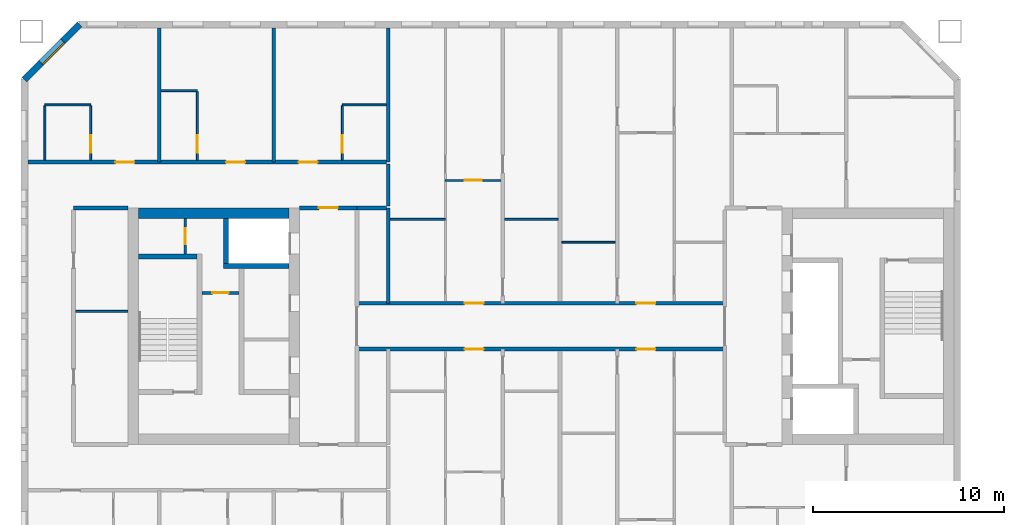
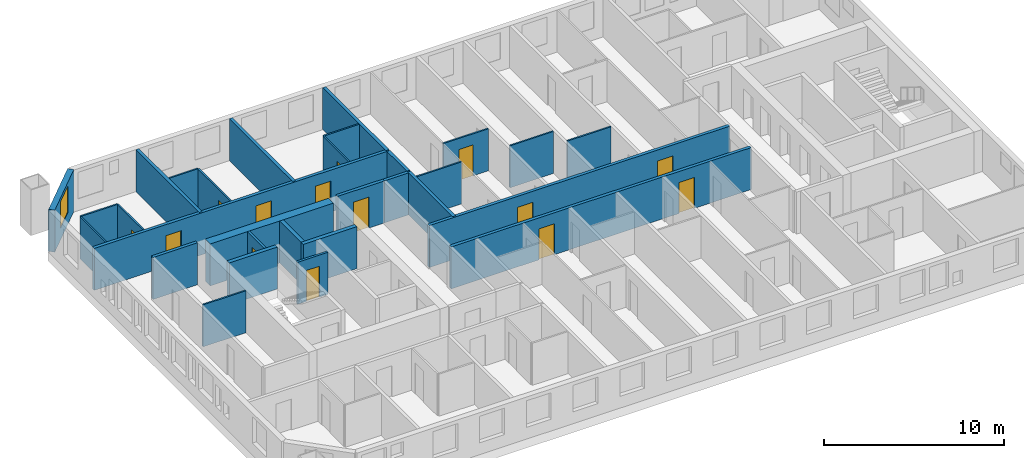
# One storey, part 5 of 17: 30 walls, 14 doors, 1 window, 15 openings.
"""IFC4 building model written with IfcOpenShell, lengths in metres."""

from ifc_helpers import new_model, si_unit, direction, frame, frame_2d, origin, place, context, subcontext, project, spatial, rectangle, extrude, material, layer, layer_set, type_object, element, fill, save


model = new_model("IFC4")

# Units and contexts
model_context = context("Model", 3, precision=1e-05, world=origin(), true_north=direction((0.0, 1.0)))
body_context = subcontext(model_context, "Body", "Model", "MODEL_VIEW")
ifc_project = project(units=[si_unit("LENGTHUNIT", "METRE"), si_unit("AREAUNIT", "SQUARE_METRE"), si_unit("VOLUMEUNIT", "CUBIC_METRE"), si_unit("PLANEANGLEUNIT", "RADIAN"), si_unit("MASSUNIT", "GRAM", prefix="KILO")], contexts=[model_context])

# Site, building, storey
site_placement = place(None, origin())
site = spatial("IfcSite", under=ifc_project, at=site_placement, CompositionType="ELEMENT")
building_placement = place(site_placement, origin())
building = spatial("IfcBuilding", under=site, at=building_placement, Name="Tuart Gate Housing", CompositionType="ELEMENT")
storey_placement = place(building_placement, frame((0.0, 0.0, 123.699951171875)))
storey = spatial("IfcBuildingStorey", under=building, at=storey_placement, Name="L34", CompositionType="ELEMENT", Elevation=123.699951171875)

# Wall, opening, window
ifc_material_1 = material(Name="Brick", Category="masonry")
ifc_layer_1 = layer(ifc_material_1, 0.360107421875)
ifc_layer_set_1 = layer_set([ifc_layer_1], Name="Brick pier and spandrel wall 360")
wall_type_1 = type_object("IfcWallType", Name="Brick pier and spandrel wall 360", PredefinedType="STANDARD", material=ifc_layer_set_1)
wall_1_placement = place(storey_placement, frame((29.82470703125, 85.820068359375, 0.0), z_axis=(0.0, 0.0, 1.0), x_axis=(-0.707106781187, -0.707106781187, 0.0)))
wall_1 = element("IfcWall", 1, at=wall_1_placement, inside=storey, type_object=wall_type_1, Name="External wall A-NW L34", PredefinedType="STANDARD", context=body_context, shape_type="SweptSolid", body=[
    extrude(rectangle(XDim=4.09375, YDim=0.360107421875, at=frame_2d((2.046875, 0.0))), origin(), (0.0, 0.0, 1.0), 2.85009765625),
])
opening_1_placement = place(wall_1_placement, frame((1.2470703125, 0.0, 0.800048828125)))
opening_1 = element("IfcOpeningElement", 2, at=opening_1_placement, cuts=wall_1, Name="Opening W1", PredefinedType="OPENING", context=body_context, shape_type="SweptSolid", body=[
    extrude(rectangle(XDim=1.60009765625, YDim=1.800048828125, at=frame_2d((0.800048828125, 0.89990234375))), frame((0.0, 0.18994140625, 0.0), z_axis=(0.0, -1.0, 0.0), x_axis=(1.0, 0.0, 0.0)), (0.0, 0.0, 1.0), 0.380126953125),
])
ifc_material_2 = material(Name="Aluminium frame with clear glass", Category="aluminium")
window_type = type_object("IfcWindowType", Name="Punched window 1600 x 1800", PartitioningType="SINGLE_PANEL", PredefinedType="WINDOW", material=ifc_material_2)
window_placement = place(opening_1_placement, origin())
window = element("IfcWindow", 3, at=window_placement, inside=storey, type_object=window_type, Name="Window W1", OverallHeight=1.800048828125, OverallWidth=1.60009765625, PartitioningType="SINGLE_PANEL", PredefinedType="WINDOW", context=body_context, shape_type="SweptSolid", body=[
    extrude(rectangle(XDim=1.60009765625, YDim=1.800048828125, at=frame_2d((0.800048828125, 0.89990234375))), frame((0.0, 0.150146484375, 0.0), z_axis=(0.0, -1.0, 0.0), x_axis=(1.0, 0.0, 0.0)), (0.0, 0.0, 1.0), 0.06005859375),
])
fill(opening_1, window)

# Wall, opening, door
ifc_material_3 = material(Name="Plasterboard partition")
ifc_layer_2 = layer(ifc_material_3, 0.14990234375)
ifc_layer_set_2 = layer_set([ifc_layer_2], Name="Core partition 150")
wall_type_2 = type_object("IfcWallType", Name="Core partition 150", PredefinedType="PARTITIONING", material=ifc_layer_set_2)
wall_2_placement = place(storey_placement, frame((38.18505859375, 71.75, 0.0), z_axis=(0.0, 0.0, 1.0), x_axis=(-1.0, 0.0, 0.0)))
wall_2 = element("IfcWall", 4, at=wall_2_placement, inside=storey, type_object=wall_type_2, Name="Core partition AK.3", PredefinedType="PARTITIONING", context=body_context, shape_type="SweptSolid", body=[
    extrude(rectangle(XDim=1.949951171875, YDim=0.14990234375, at=frame_2d((0.97509765625, 0.0))), origin(), (0.0, 0.0, 1.0), 2.85009765625),
])
opening_2_placement = place(wall_2_placement, frame((0.550048828125, 0.0, 0.0)))
opening_2 = element("IfcOpeningElement", 5, at=opening_2_placement, cuts=wall_2, Name="Opening D1314", PredefinedType="OPENING", context=body_context, shape_type="SweptSolid", body=[
    extrude(rectangle(XDim=0.85009765625, YDim=2.10009765625, at=frame_2d((0.425048828125, 1.050048828125))), frame((0.0, 0.0849609375, 0.0), z_axis=(0.0, -1.0, 0.0), x_axis=(1.0, 0.0, 0.0)), (0.0, 0.0, 1.0), 0.169921875),
])
ifc_material_4 = material(Name="Steel fire door", Category="steel")
door_type_1 = type_object("IfcDoorType", Name="Riser door 850 x 2100 RH", OperationType="SINGLE_SWING_RIGHT", PredefinedType="DOOR", material=ifc_material_4)
door_1_placement = place(opening_2_placement, frame((0.85009765625, 0.0, 0.0), z_axis=(0.0, 0.0, 1.0), x_axis=(-1.0, 0.0, 0.0)))
door_1 = element("IfcDoor", 6, at=door_1_placement, inside=storey, type_object=door_type_1, Name="Service room door AK.E1", OperationType="SINGLE_SWING_RIGHT", OverallHeight=2.10009765625, OverallWidth=0.85009765625, PredefinedType="DOOR", context=body_context, shape_type="SweptSolid", body=[
    extrude(rectangle(XDim=0.85009765625, YDim=2.10009765625, at=frame_2d((0.425048828125, 1.050048828125))), frame((0.0, 0.025146484375, 0.0), z_axis=(0.0, -1.0, 0.0), x_axis=(1.0, 0.0, 0.0)), (0.0, 0.0, 1.0), 0.050048828125),
])
fill(opening_2, door_1)

wall_3_placement = place(storey_placement, frame((35.360107421875, 75.64990234375, 0.0), z_axis=(0.0, 0.0, 1.0), x_axis=(0.0, -1.0, 0.0)))
wall_3 = element("IfcWall", 7, at=wall_3_placement, inside=storey, type_object=wall_type_2, Name="Core partition AK.10", PredefinedType="PARTITIONING", context=body_context, shape_type="SweptSolid", body=[
    extrude(rectangle(XDim=1.875, YDim=0.14990234375, at=frame_2d((0.9375, 0.0))), origin(), (0.0, 0.0, 1.0), 2.85009765625),
])
opening_3_placement = place(wall_3_placement, frame((0.512451171875, 0.0, 0.0)))
opening_3 = element("IfcOpeningElement", 8, at=opening_3_placement, cuts=wall_3, Name="Opening D1312", PredefinedType="OPENING", context=body_context, shape_type="SweptSolid", body=[
    extrude(rectangle(XDim=0.85009765625, YDim=2.10009765625, at=frame_2d((0.425048828125, 1.050048828125))), frame((0.0, 0.0849609375, 0.0), z_axis=(0.0, -1.0, 0.0), x_axis=(1.0, 0.0, 0.0)), (0.0, 0.0, 1.0), 0.169921875),
])
ifc_material_5 = material(Name="Steel fire door", Category="steel")
door_type_2 = type_object("IfcDoorType", Name="Service door 850 x 2100", OperationType="SINGLE_SWING_LEFT", PredefinedType="DOOR", material=ifc_material_5)
door_2_placement = place(opening_3_placement, origin())
door_2 = element("IfcDoor", 9, at=door_2_placement, inside=storey, type_object=door_type_2, Name="Service room door AK.E2", OperationType="SINGLE_SWING_LEFT", OverallHeight=2.10009765625, OverallWidth=0.85009765625, PredefinedType="DOOR", context=body_context, shape_type="SweptSolid", body=[
    extrude(rectangle(XDim=0.85009765625, YDim=2.10009765625, at=frame_2d((0.425048828125, 1.050048828125))), frame((0.0, 0.02490234375, 0.0), z_axis=(0.0, -1.0, 0.0), x_axis=(1.0, 0.0, 0.0)), (0.0, 0.0, 1.0), 0.050048828125),
])
fill(opening_3, door_2)

# Walls
ifc_material_6 = material(Name="Concrete C50", Category="concrete")
ifc_layer_3 = layer(ifc_material_6, 0.25)
ifc_layer_set_3 = layer_set([ifc_layer_3], Name="Core wall 250 C50")
wall_type_3 = type_object("IfcWallType", Name="Core wall 250 C50", PredefinedType="SHEAR", material=ifc_layer_set_3)
wall_4_placement = place(storey_placement, frame((35.985107421875, 73.64990234375, 0.0), z_axis=(0.0, 0.0, 1.0), x_axis=(-1.0, 0.0, 0.0)))
element("IfcWall", 10, at=wall_4_placement, inside=storey, type_object=wall_type_3, Name="Core wall AK.1", PredefinedType="SHEAR", context=body_context, shape_type="SweptSolid", body=[
    extrude(rectangle(XDim=3.0751953125, YDim=0.25, at=frame_2d((1.53759765625, 0.0))), origin(), (0.0, 0.0, 1.0), 2.85009765625),
])
wall_5_placement = place(storey_placement, frame((40.81005859375, 73.14990234375, 0.0), z_axis=(0.0, 0.0, 1.0), x_axis=(-1.0, 0.0, 0.0)))
element("IfcWall", 11, at=wall_5_placement, inside=storey, type_object=wall_type_3, Name="Core wall AK.2", PredefinedType="SHEAR", context=body_context, shape_type="SweptSolid", body=[
    extrude(rectangle(XDim=3.445068359375, YDim=0.25, at=frame_2d((1.72265625, 0.0))), origin(), (0.0, 0.0, 1.0), 2.85009765625),
])
wall_6_placement = place(storey_placement, frame((37.489990234375, 75.64990234375, 0.0), z_axis=(0.0, 0.0, 1.0), x_axis=(0.0, -1.0, 0.0)))
element("IfcWall", 12, at=wall_6_placement, inside=storey, type_object=wall_type_3, Name="Core wall AK.8", PredefinedType="SHEAR", context=body_context, shape_type="SweptSolid", body=[
    extrude(rectangle(XDim=2.375, YDim=0.25, at=frame_2d((1.1875, 0.0))), origin(), (0.0, 0.0, 1.0), 2.85009765625),
])
ifc_material_7 = material(Name="Concrete C50", Category="concrete")
ifc_layer_4 = layer(ifc_material_7, 0.550048828125)
ifc_layer_set_4 = layer_set([ifc_layer_4], Name="Core wall 550 C50")
wall_type_4 = type_object("IfcWallType", Name="Core wall 550 C50", PredefinedType="SHEAR", material=ifc_layer_set_4)
wall_7_placement = place(storey_placement, frame((40.81005859375, 75.925048828125, 0.0), z_axis=(0.0, 0.0, 1.0), x_axis=(-1.0, 0.0, 0.0)))
element("IfcWall", 13, at=wall_7_placement, inside=storey, type_object=wall_type_4, Name="Core wall AK south", PredefinedType="SHEAR", context=body_context, shape_type="SweptSolid", body=[
    extrude(rectangle(XDim=7.900146484375, YDim=0.550048828125, at=frame_2d((3.9501953125, 0.0))), origin(), (0.0, 0.0, 1.0), 2.85009765625),
])

# Wall, openings, doors
ifc_material_8 = material(Name="Concrete masonry 15 MPa", Category="masonry")
ifc_layer_5 = layer(ifc_material_8, 0.199951171875)
ifc_layer_set_5 = layer_set([ifc_layer_5], Name="Corridor wall masonry 200")
wall_type_5 = type_object("IfcWallType", Name="Corridor wall masonry 200", PredefinedType="PARTITIONING", material=ifc_layer_set_5)
wall_8_placement = place(storey_placement, frame((44.360107421875, 68.800048828125, 0.0), z_axis=(0.0, 0.0, 1.0), x_axis=(1.0, 0.0, 0.0)))
wall_8 = element("IfcWall", 14, at=wall_8_placement, inside=storey, type_object=wall_type_5, Name="Corridor wall masonry 200", PredefinedType="PARTITIONING", context=body_context, shape_type="SweptSolid", body=[
    extrude(rectangle(XDim=19.27978515625, YDim=0.199951171875, at=frame_2d((9.639892578125, 0.0))), origin(), (0.0, 0.0, 1.0), 2.85009765625),
])
opening_4_placement = place(wall_8_placement, frame((14.639892578125, 0.0, 0.0)))
opening_4 = element("IfcOpeningElement", 15, at=opening_4_placement, cuts=wall_8, Name="Opening D1325", PredefinedType="OPENING", context=body_context, shape_type="SweptSolid", body=[
    extrude(rectangle(XDim=1.0, YDim=2.10009765625, at=frame_2d((0.5, 1.050048828125))), frame((0.0, 0.10986328125, 0.0), z_axis=(0.0, -1.0, 0.0), x_axis=(1.0, 0.0, 0.0)), (0.0, 0.0, 1.0), 0.219970703125),
])
opening_5_placement = place(wall_8_placement, frame((5.639892578125, 0.0, 0.0)))
opening_5 = element("IfcOpeningElement", 16, at=opening_5_placement, cuts=wall_8, Name="Opening D1326", PredefinedType="OPENING", context=body_context, shape_type="SweptSolid", body=[
    extrude(rectangle(XDim=1.0, YDim=2.10009765625, at=frame_2d((0.5, 1.050048828125))), frame((0.0, 0.10986328125, 0.0), z_axis=(0.0, -1.0, 0.0), x_axis=(1.0, 0.0, 0.0)), (0.0, 0.0, 1.0), 0.219970703125),
])
ifc_material_9 = material(Name="Timber door leaf in steel frame", Category="steel")
door_type_3 = type_object("IfcDoorType", Name="Flat entrance door 1000 RH", OperationType="SINGLE_SWING_RIGHT", PredefinedType="DOOR", material=ifc_material_9)
door_3_placement = place(opening_4_placement, frame((1.0, 0.0, 0.0), z_axis=(0.0, 0.0, 1.0), x_axis=(-1.0, 0.0, 0.0)))
door_3 = element("IfcDoor", 17, at=door_3_placement, inside=storey, type_object=door_type_3, Name="Flat entrance door", OperationType="SINGLE_SWING_RIGHT", OverallHeight=2.10009765625, OverallWidth=1.0, PredefinedType="DOOR", context=body_context, shape_type="SweptSolid", body=[
    extrude(rectangle(XDim=1.0, YDim=2.10009765625, at=frame_2d((0.5, 1.050048828125))), frame((0.0, 0.025146484375, 0.0), z_axis=(0.0, -1.0, 0.0), x_axis=(1.0, 0.0, 0.0)), (0.0, 0.0, 1.0), 0.050048828125),
])
fill(opening_4, door_3)
door_4_placement = place(opening_5_placement, frame((1.0, 0.0, 0.0), z_axis=(0.0, 0.0, 1.0), x_axis=(-1.0, 0.0, 0.0)))
door_4 = element("IfcDoor", 18, at=door_4_placement, inside=storey, type_object=door_type_3, Name="Flat entrance door", OperationType="SINGLE_SWING_RIGHT", OverallHeight=2.10009765625, OverallWidth=1.0, PredefinedType="DOOR", context=body_context, shape_type="SweptSolid", body=[
    extrude(rectangle(XDim=1.0, YDim=2.10009765625, at=frame_2d((0.5, 1.050048828125))), frame((0.0, 0.025146484375, 0.0), z_axis=(0.0, -1.0, 0.0), x_axis=(1.0, 0.0, 0.0)), (0.0, 0.0, 1.0), 0.050048828125),
])
fill(opening_5, door_4)

wall_9_placement = place(storey_placement, frame((44.360107421875, 71.199951171875, 0.0), z_axis=(0.0, 0.0, 1.0), x_axis=(1.0, 0.0, 0.0)))
wall_9 = element("IfcWall", 19, at=wall_9_placement, inside=storey, type_object=wall_type_5, Name="Corridor wall masonry 200", PredefinedType="PARTITIONING", context=body_context, shape_type="SweptSolid", body=[
    extrude(rectangle(XDim=19.27978515625, YDim=0.199951171875, at=frame_2d((9.639892578125, 0.0))), origin(), (0.0, 0.0, 1.0), 2.85009765625),
])
opening_6_placement = place(wall_9_placement, frame((14.639892578125, 0.0, 0.0)))
opening_6 = element("IfcOpeningElement", 20, at=opening_6_placement, cuts=wall_9, Name="Opening D1315", PredefinedType="OPENING", context=body_context, shape_type="SweptSolid", body=[
    extrude(rectangle(XDim=1.0, YDim=2.10009765625, at=frame_2d((0.5, 1.050048828125))), frame((0.0, 0.10986328125, 0.0), z_axis=(0.0, -1.0, 0.0), x_axis=(1.0, 0.0, 0.0)), (0.0, 0.0, 1.0), 0.219970703125),
])
opening_7_placement = place(wall_9_placement, frame((5.639892578125, 0.0, 0.0)))
opening_7 = element("IfcOpeningElement", 21, at=opening_7_placement, cuts=wall_9, Name="Opening D1316", PredefinedType="OPENING", context=body_context, shape_type="SweptSolid", body=[
    extrude(rectangle(XDim=1.0, YDim=2.10009765625, at=frame_2d((0.5, 1.050048828125))), frame((0.0, 0.10986328125, 0.0), z_axis=(0.0, -1.0, 0.0), x_axis=(1.0, 0.0, 0.0)), (0.0, 0.0, 1.0), 0.219970703125),
])
ifc_material_10 = material(Name="Timber door leaf in steel frame", Category="steel")
door_type_4 = type_object("IfcDoorType", Name="Flat entrance door 1000", OperationType="SINGLE_SWING_LEFT", PredefinedType="DOOR", material=ifc_material_10)
door_5_placement = place(opening_6_placement, origin())
door_5 = element("IfcDoor", 22, at=door_5_placement, inside=storey, type_object=door_type_4, Name="Flat entrance door", OperationType="SINGLE_SWING_LEFT", OverallHeight=2.10009765625, OverallWidth=1.0, PredefinedType="DOOR", context=body_context, shape_type="SweptSolid", body=[
    extrude(rectangle(XDim=1.0, YDim=2.10009765625, at=frame_2d((0.5, 1.050048828125))), frame((0.0, 0.02490234375, 0.0), z_axis=(0.0, -1.0, 0.0), x_axis=(1.0, 0.0, 0.0)), (0.0, 0.0, 1.0), 0.050048828125),
])
fill(opening_6, door_5)
door_6_placement = place(opening_7_placement, origin())
door_6 = element("IfcDoor", 23, at=door_6_placement, inside=storey, type_object=door_type_4, Name="Flat entrance door", OperationType="SINGLE_SWING_LEFT", OverallHeight=2.10009765625, OverallWidth=1.0, PredefinedType="DOOR", context=body_context, shape_type="SweptSolid", body=[
    extrude(rectangle(XDim=1.0, YDim=2.10009765625, at=frame_2d((0.5, 1.050048828125))), frame((0.0, 0.02490234375, 0.0), z_axis=(0.0, -1.0, 0.0), x_axis=(1.0, 0.0, 0.0)), (0.0, 0.0, 1.0), 0.050048828125),
])
fill(opening_7, door_6)

# Walls
wall_10_placement = place(storey_placement, frame((29.510009765625, 76.199951171875, 0.0), z_axis=(0.0, 0.0, 1.0), x_axis=(1.0, 0.0, 0.0)))
element("IfcWall", 24, at=wall_10_placement, inside=storey, type_object=wall_type_5, Name="Corridor wall masonry 200", PredefinedType="PARTITIONING", context=body_context, shape_type="SweptSolid", body=[
    extrude(rectangle(XDim=2.85009765625, YDim=0.199951171875, at=frame_2d((1.425048828125, 0.0))), origin(), (0.0, 0.0, 1.0), 2.85009765625),
])
wall_11_placement = place(storey_placement, frame((44.360107421875, 76.199951171875, 0.0), z_axis=(0.0, 0.0, 1.0), x_axis=(1.0, 0.0, 0.0)))
element("IfcWall", 25, at=wall_11_placement, inside=storey, type_object=wall_type_5, Name="Corridor wall masonry 200", PredefinedType="PARTITIONING", context=body_context, shape_type="SweptSolid", body=[
    extrude(rectangle(XDim=1.539794921875, YDim=0.199951171875, at=frame_2d((0.77001953125, 0.0))), origin(), (0.0, 0.0, 1.0), 2.85009765625),
])

# Wall, openings, doors
wall_12_placement = place(storey_placement, frame((27.110107421875, 78.60009765625, 0.0), z_axis=(0.0, 0.0, 1.0), x_axis=(1.0, 0.0, 0.0)))
wall_12 = element("IfcWall", 26, at=wall_12_placement, inside=storey, type_object=wall_type_5, Name="Corridor wall masonry 200", PredefinedType="PARTITIONING", context=body_context, shape_type="SweptSolid", body=[
    extrude(rectangle(XDim=18.789794921875, YDim=0.199951171875, at=frame_2d((9.39501953125, 0.0))), origin(), (0.0, 0.0, 1.0), 2.85009765625),
])
opening_8_placement = place(wall_12_placement, frame((14.18994140625, 0.0, 0.0)))
opening_8 = element("IfcOpeningElement", 27, at=opening_8_placement, cuts=wall_12, Name="Opening D1298", PredefinedType="OPENING", context=body_context, shape_type="SweptSolid", body=[
    extrude(rectangle(XDim=1.0, YDim=2.10009765625, at=frame_2d((0.5, 1.050048828125))), frame((0.0, 0.10986328125, 0.0), z_axis=(0.0, -1.0, 0.0), x_axis=(1.0, 0.0, 0.0)), (0.0, 0.0, 1.0), 0.219970703125),
])
opening_9_placement = place(wall_12_placement, frame((10.389892578125, 0.0, 0.0)))
opening_9 = element("IfcOpeningElement", 28, at=opening_9_placement, cuts=wall_12, Name="Opening D1299", PredefinedType="OPENING", context=body_context, shape_type="SweptSolid", body=[
    extrude(rectangle(XDim=1.0, YDim=2.10009765625, at=frame_2d((0.5, 1.050048828125))), frame((0.0, 0.10986328125, 0.0), z_axis=(0.0, -1.0, 0.0), x_axis=(1.0, 0.0, 0.0)), (0.0, 0.0, 1.0), 0.219970703125),
])
opening_10_placement = place(wall_12_placement, frame((4.590087890625, 0.0, 0.0)))
opening_10 = element("IfcOpeningElement", 29, at=opening_10_placement, cuts=wall_12, Name="Opening D1300", PredefinedType="OPENING", context=body_context, shape_type="SweptSolid", body=[
    extrude(rectangle(XDim=1.0, YDim=2.10009765625, at=frame_2d((0.5, 1.050048828125))), frame((0.0, 0.10986328125, 0.0), z_axis=(0.0, -1.0, 0.0), x_axis=(1.0, 0.0, 0.0)), (0.0, 0.0, 1.0), 0.219970703125),
])
door_7_placement = place(opening_8_placement, origin())
door_7 = element("IfcDoor", 30, at=door_7_placement, inside=storey, type_object=door_type_4, Name="Flat entrance door", OperationType="SINGLE_SWING_LEFT", OverallHeight=2.10009765625, OverallWidth=1.0, PredefinedType="DOOR", context=body_context, shape_type="SweptSolid", body=[
    extrude(rectangle(XDim=1.0, YDim=2.10009765625, at=frame_2d((0.5, 1.050048828125))), frame((0.0, 0.02490234375, 0.0), z_axis=(0.0, -1.0, 0.0), x_axis=(1.0, 0.0, 0.0)), (0.0, 0.0, 1.0), 0.050048828125),
])
fill(opening_8, door_7)
door_8_placement = place(opening_9_placement, origin())
door_8 = element("IfcDoor", 31, at=door_8_placement, inside=storey, type_object=door_type_4, Name="Flat entrance door", OperationType="SINGLE_SWING_LEFT", OverallHeight=2.10009765625, OverallWidth=1.0, PredefinedType="DOOR", context=body_context, shape_type="SweptSolid", body=[
    extrude(rectangle(XDim=1.0, YDim=2.10009765625, at=frame_2d((0.5, 1.050048828125))), frame((0.0, 0.02490234375, 0.0), z_axis=(0.0, -1.0, 0.0), x_axis=(1.0, 0.0, 0.0)), (0.0, 0.0, 1.0), 0.050048828125),
])
fill(opening_9, door_8)
door_9_placement = place(opening_10_placement, origin())
door_9 = element("IfcDoor", 32, at=door_9_placement, inside=storey, type_object=door_type_4, Name="Flat entrance door", OperationType="SINGLE_SWING_LEFT", OverallHeight=2.10009765625, OverallWidth=1.0, PredefinedType="DOOR", context=body_context, shape_type="SweptSolid", body=[
    extrude(rectangle(XDim=1.0, YDim=2.10009765625, at=frame_2d((0.5, 1.050048828125))), frame((0.0, 0.02490234375, 0.0), z_axis=(0.0, -1.0, 0.0), x_axis=(1.0, 0.0, 0.0)), (0.0, 0.0, 1.0), 0.050048828125),
])
fill(opening_10, door_9)

# Wall
wall_13_placement = place(storey_placement, frame((46.0, 76.300048828125, 0.0), z_axis=(0.0, 0.0, 1.0), x_axis=(0.0, 1.0, 0.0)))
element("IfcWall", 33, at=wall_13_placement, inside=storey, type_object=wall_type_5, Name="Corridor wall masonry 200", PredefinedType="PARTITIONING", context=body_context, shape_type="SweptSolid", body=[
    extrude(rectangle(XDim=2.199951171875, YDim=0.199951171875, at=frame_2d((1.10009765625, 0.0))), origin(), (0.0, 0.0, 1.0), 2.85009765625),
])

# Wall, opening, door
ifc_material_11 = material(Name="Concrete masonry 15 MPa", Category="masonry")
ifc_layer_6 = layer(ifc_material_11, 0.199951171875)
ifc_layer_set_6 = layer_set([ifc_layer_6], Name="Enclosure wall masonry 200")
wall_type_6 = type_object("IfcWallType", Name="Enclosure wall masonry 200", PredefinedType="PARTITIONING", material=ifc_layer_set_6)
wall_14_placement = place(storey_placement, frame((41.360107421875, 76.199951171875, 0.0), z_axis=(0.0, 0.0, 1.0), x_axis=(1.0, 0.0, 0.0)))
wall_14 = element("IfcWall", 34, at=wall_14_placement, inside=storey, type_object=wall_type_6, Name="Enclosure wall masonry 200", PredefinedType="PARTITIONING", context=body_context, shape_type="SweptSolid", body=[
    extrude(rectangle(XDim=3.0, YDim=0.199951171875, at=frame_2d((1.5, 0.0))), origin(), (0.0, 0.0, 1.0), 2.85009765625),
])
opening_11_placement = place(wall_14_placement, frame((1.0, 0.0, 0.0)))
opening_11 = element("IfcOpeningElement", 35, at=opening_11_placement, cuts=wall_14, Name="Opening D1310", PredefinedType="OPENING", context=body_context, shape_type="SweptSolid", body=[
    extrude(rectangle(XDim=1.0, YDim=2.10009765625, at=frame_2d((0.5, 1.050048828125))), frame((0.0, 0.10986328125, 0.0), z_axis=(0.0, -1.0, 0.0), x_axis=(1.0, 0.0, 0.0)), (0.0, 0.0, 1.0), 0.219970703125),
])
ifc_material_12 = material(Name="Timber door leaf in steel frame", Category="steel")
door_type_5 = type_object("IfcDoorType", Name="Fire door 1000 RH", OperationType="SINGLE_SWING_RIGHT", PredefinedType="DOOR", material=ifc_material_12)
door_10_placement = place(opening_11_placement, origin())
door_10 = element("IfcDoor", 36, at=door_10_placement, inside=storey, type_object=door_type_5, Name="Fire door", OperationType="SINGLE_SWING_RIGHT", OverallHeight=2.10009765625, OverallWidth=1.0, PredefinedType="DOOR", context=body_context, shape_type="SweptSolid", body=[
    extrude(rectangle(XDim=1.0, YDim=2.10009765625, at=frame_2d((0.5, 1.050048828125))), frame((0.0, 0.02490234375, 0.0), z_axis=(0.0, -1.0, 0.0), x_axis=(1.0, 0.0, 0.0)), (0.0, 0.0, 1.0), 0.050048828125),
])
fill(opening_11, door_10)

# Walls
ifc_material_13 = material(Name="Gypsum board on steel studs", Category="steel")
ifc_layer_7 = layer(ifc_material_13, 0.10009765625)
ifc_layer_set_7 = layer_set([ifc_layer_7], Name="Partition 100")
wall_type_7 = type_object("IfcWallType", Name="Partition 100", PredefinedType="PARTITIONING", material=ifc_layer_set_7)
wall_15_placement = place(storey_placement, frame((29.610107421875, 70.780029296875, 0.0), z_axis=(0.0, 0.0, 1.0), x_axis=(1.0, 0.0, 0.0)))
element("IfcWall", 37, at=wall_15_placement, inside=storey, type_object=wall_type_7, Name="Partition 100", PredefinedType="PARTITIONING", context=body_context, shape_type="SweptSolid", body=[
    extrude(rectangle(XDim=2.75, YDim=0.10009765625, at=frame_2d((1.375, 0.0))), origin(), (0.0, 0.0, 1.0), 2.85009765625),
])
wall_16_placement = place(storey_placement, frame((55.10009765625, 74.39990234375, 0.0), z_axis=(0.0, 0.0, 1.0), x_axis=(1.0, 0.0, 0.0)))
element("IfcWall", 38, at=wall_16_placement, inside=storey, type_object=wall_type_7, Name="Partition 100", PredefinedType="PARTITIONING", context=body_context, shape_type="SweptSolid", body=[
    extrude(rectangle(XDim=2.7998046875, YDim=0.10009765625, at=frame_2d((1.39990234375, 0.0))), origin(), (0.0, 0.0, 1.0), 2.85009765625),
])
wall_17_placement = place(storey_placement, frame((46.10009765625, 75.60009765625, 0.0), z_axis=(0.0, 0.0, 1.0), x_axis=(1.0, 0.0, 0.0)))
element("IfcWall", 39, at=wall_17_placement, inside=storey, type_object=wall_type_7, Name="Partition 100", PredefinedType="PARTITIONING", context=body_context, shape_type="SweptSolid", body=[
    extrude(rectangle(XDim=2.89990234375, YDim=0.10009765625, at=frame_2d((1.449951171875, 0.0))), origin(), (0.0, 0.0, 1.0), 2.85009765625),
])
wall_18_placement = place(storey_placement, frame((52.10009765625, 75.60009765625, 0.0), z_axis=(0.0, 0.0, 1.0), x_axis=(1.0, 0.0, 0.0)))
element("IfcWall", 40, at=wall_18_placement, inside=storey, type_object=wall_type_7, Name="Partition 100", PredefinedType="PARTITIONING", context=body_context, shape_type="SweptSolid", body=[
    extrude(rectangle(XDim=2.7998046875, YDim=0.10009765625, at=frame_2d((1.39990234375, 0.0))), origin(), (0.0, 0.0, 1.0), 2.85009765625),
])

# Wall, opening, door
wall_19_placement = place(storey_placement, frame((49.0, 77.639892578125, 0.0), z_axis=(0.0, 0.0, 1.0), x_axis=(1.0, 0.0, 0.0)))
wall_19 = element("IfcWall", 41, at=wall_19_placement, inside=storey, type_object=wall_type_7, Name="Partition 100", PredefinedType="PARTITIONING", context=body_context, shape_type="SweptSolid", body=[
    extrude(rectangle(XDim=2.89990234375, YDim=0.10009765625, at=frame_2d((1.449951171875, 0.0))), origin(), (0.0, 0.0, 1.0), 2.85009765625),
])
opening_12_placement = place(wall_19_placement, frame((1.0, 0.0, 0.0)))
opening_12 = element("IfcOpeningElement", 42, at=opening_12_placement, cuts=wall_19, Name="Opening D1309", PredefinedType="OPENING", context=body_context, shape_type="SweptSolid", body=[
    extrude(rectangle(XDim=0.89990234375, YDim=2.10009765625, at=frame_2d((0.449951171875, 1.050048828125))), frame((0.0, 0.06005859375, 0.0), z_axis=(0.0, -1.0, 0.0), x_axis=(1.0, 0.0, 0.0)), (0.0, 0.0, 1.0), 0.1201171875),
])
ifc_material_14 = material(Name="Timber door leaf in steel frame", Category="steel")
door_type_6 = type_object("IfcDoorType", Name="Internal door 900 RH", OperationType="SINGLE_SWING_RIGHT", PredefinedType="DOOR", material=ifc_material_14)
door_11_placement = place(opening_12_placement, frame((0.89990234375, 0.0, 0.0), z_axis=(0.0, 0.0, 1.0), x_axis=(-1.0, 0.0, 0.0)))
door_11 = element("IfcDoor", 43, at=door_11_placement, inside=storey, type_object=door_type_6, Name="Internal door", OperationType="SINGLE_SWING_RIGHT", OverallHeight=2.10009765625, OverallWidth=0.89990234375, PredefinedType="DOOR", context=body_context, shape_type="SweptSolid", body=[
    extrude(rectangle(XDim=0.89990234375, YDim=2.10009765625, at=frame_2d((0.449951171875, 1.050048828125))), frame((0.0, 0.025146484375, 0.0), z_axis=(0.0, -1.0, 0.0), x_axis=(1.0, 0.0, 0.0)), (0.0, 0.0, 1.0), 0.050048828125),
])
fill(opening_12, door_11)

# Walls
wall_20_placement = place(storey_placement, frame((28.0, 81.60009765625, 0.0), z_axis=(0.0, 0.0, 1.0), x_axis=(1.0, 0.0, 0.0)))
element("IfcWall", 44, at=wall_20_placement, inside=storey, type_object=wall_type_7, Name="Partition 100", PredefinedType="PARTITIONING", context=body_context, shape_type="SweptSolid", body=[
    extrude(rectangle(XDim=2.39990234375, YDim=0.10009765625, at=frame_2d((1.199951171875, 0.0))), origin(), (0.0, 0.0, 1.0), 2.85009765625),
])
wall_21_placement = place(storey_placement, frame((43.60009765625, 81.60009765625, 0.0), z_axis=(0.0, 0.0, 1.0), x_axis=(1.0, 0.0, 0.0)))
element("IfcWall", 45, at=wall_21_placement, inside=storey, type_object=wall_type_7, Name="Partition 100", PredefinedType="PARTITIONING", context=body_context, shape_type="SweptSolid", body=[
    extrude(rectangle(XDim=2.2998046875, YDim=0.10009765625, at=frame_2d((1.14990234375, 0.0))), origin(), (0.0, 0.0, 1.0), 2.85009765625),
])
wall_22_placement = place(storey_placement, frame((34.10009765625, 82.35009765625, 0.0), z_axis=(0.0, 0.0, 1.0), x_axis=(1.0, 0.0, 0.0)))
element("IfcWall", 46, at=wall_22_placement, inside=storey, type_object=wall_type_7, Name="Partition 100", PredefinedType="PARTITIONING", context=body_context, shape_type="SweptSolid", body=[
    extrude(rectangle(XDim=1.89990234375, YDim=0.10009765625, at=frame_2d((0.949951171875, 0.0))), origin(), (0.0, 0.0, 1.0), 2.85009765625),
])
wall_23_placement = place(storey_placement, frame((28.0, 78.699951171875, 0.0), z_axis=(0.0, 0.0, 1.0), x_axis=(0.0, 1.0, 0.0)))
element("IfcWall", 47, at=wall_23_placement, inside=storey, type_object=wall_type_7, Name="Partition 100", PredefinedType="PARTITIONING", context=body_context, shape_type="SweptSolid", body=[
    extrude(rectangle(XDim=2.85009765625, YDim=0.10009765625, at=frame_2d((1.425048828125, 0.0))), origin(), (0.0, 0.0, 1.0), 2.85009765625),
])

# Wall, opening, door
wall_24_placement = place(storey_placement, frame((30.39990234375, 78.699951171875, 0.0), z_axis=(0.0, 0.0, 1.0), x_axis=(0.0, 1.0, 0.0)))
wall_24 = element("IfcWall", 48, at=wall_24_placement, inside=storey, type_object=wall_type_7, Name="Partition 100", PredefinedType="PARTITIONING", context=body_context, shape_type="SweptSolid", body=[
    extrude(rectangle(XDim=2.85009765625, YDim=0.10009765625, at=frame_2d((1.425048828125, 0.0))), origin(), (0.0, 0.0, 1.0), 2.85009765625),
])
opening_13_placement = place(wall_24_placement, frame((0.39990234375, 0.0, 0.0)))
opening_13 = element("IfcOpeningElement", 49, at=opening_13_placement, cuts=wall_24, Name="Opening D1294", PredefinedType="OPENING", context=body_context, shape_type="SweptSolid", body=[
    extrude(rectangle(XDim=0.89990234375, YDim=2.10009765625, at=frame_2d((0.449951171875, 1.050048828125))), frame((0.0, 0.06005859375, 0.0), z_axis=(0.0, -1.0, 0.0), x_axis=(1.0, 0.0, 0.0)), (0.0, 0.0, 1.0), 0.1201171875),
])
ifc_material_15 = material(Name="Timber door leaf in steel frame", Category="steel")
door_type_7 = type_object("IfcDoorType", Name="Bathroom door 900", OperationType="SINGLE_SWING_LEFT", PredefinedType="DOOR", material=ifc_material_15)
door_12_placement = place(opening_13_placement, origin())
door_12 = element("IfcDoor", 50, at=door_12_placement, inside=storey, type_object=door_type_7, Name="Bathroom door", OperationType="SINGLE_SWING_LEFT", OverallHeight=2.10009765625, OverallWidth=0.89990234375, PredefinedType="DOOR", context=body_context, shape_type="SweptSolid", body=[
    extrude(rectangle(XDim=0.89990234375, YDim=2.10009765625, at=frame_2d((0.449951171875, 1.050048828125))), frame((0.0, 0.02490234375, 0.0), z_axis=(0.0, -1.0, 0.0), x_axis=(1.0, 0.0, 0.0)), (0.0, 0.0, 1.0), 0.050048828125),
])
fill(opening_13, door_12)

wall_25_placement = place(storey_placement, frame((36.0, 78.699951171875, 0.0), z_axis=(0.0, 0.0, 1.0), x_axis=(0.0, 1.0, 0.0)))
wall_25 = element("IfcWall", 51, at=wall_25_placement, inside=storey, type_object=wall_type_7, Name="Partition 100", PredefinedType="PARTITIONING", context=body_context, shape_type="SweptSolid", body=[
    extrude(rectangle(XDim=3.60009765625, YDim=0.10009765625, at=frame_2d((1.800048828125, 0.0))), origin(), (0.0, 0.0, 1.0), 2.85009765625),
])
opening_14_placement = place(wall_25_placement, frame((0.39990234375, 0.0, 0.0)))
opening_14 = element("IfcOpeningElement", 52, at=opening_14_placement, cuts=wall_25, Name="Opening D1292", PredefinedType="OPENING", context=body_context, shape_type="SweptSolid", body=[
    extrude(rectangle(XDim=0.89990234375, YDim=2.10009765625, at=frame_2d((0.449951171875, 1.050048828125))), frame((0.0, 0.06005859375, 0.0), z_axis=(0.0, -1.0, 0.0), x_axis=(1.0, 0.0, 0.0)), (0.0, 0.0, 1.0), 0.1201171875),
])
door_13_placement = place(opening_14_placement, origin())
door_13 = element("IfcDoor", 53, at=door_13_placement, inside=storey, type_object=door_type_7, Name="Bathroom door", OperationType="SINGLE_SWING_LEFT", OverallHeight=2.10009765625, OverallWidth=0.89990234375, PredefinedType="DOOR", context=body_context, shape_type="SweptSolid", body=[
    extrude(rectangle(XDim=0.89990234375, YDim=2.10009765625, at=frame_2d((0.449951171875, 1.050048828125))), frame((0.0, 0.02490234375, 0.0), z_axis=(0.0, -1.0, 0.0), x_axis=(1.0, 0.0, 0.0)), (0.0, 0.0, 1.0), 0.050048828125),
])
fill(opening_14, door_13)

wall_26_placement = place(storey_placement, frame((43.60009765625, 78.699951171875, 0.0), z_axis=(0.0, 0.0, 1.0), x_axis=(0.0, 1.0, 0.0)))
wall_26 = element("IfcWall", 54, at=wall_26_placement, inside=storey, type_object=wall_type_7, Name="Partition 100", PredefinedType="PARTITIONING", context=body_context, shape_type="SweptSolid", body=[
    extrude(rectangle(XDim=2.85009765625, YDim=0.10009765625, at=frame_2d((1.425048828125, 0.0))), origin(), (0.0, 0.0, 1.0), 2.85009765625),
])
opening_15_placement = place(wall_26_placement, frame((0.39990234375, 0.0, 0.0)))
opening_15 = element("IfcOpeningElement", 55, at=opening_15_placement, cuts=wall_26, Name="Opening D1295", PredefinedType="OPENING", context=body_context, shape_type="SweptSolid", body=[
    extrude(rectangle(XDim=0.89990234375, YDim=2.10009765625, at=frame_2d((0.449951171875, 1.050048828125))), frame((0.0, 0.06005859375, 0.0), z_axis=(0.0, -1.0, 0.0), x_axis=(1.0, 0.0, 0.0)), (0.0, 0.0, 1.0), 0.1201171875),
])
ifc_material_16 = material(Name="Timber door leaf in steel frame", Category="steel")
door_type_8 = type_object("IfcDoorType", Name="Bathroom door 900 RH", OperationType="SINGLE_SWING_RIGHT", PredefinedType="DOOR", material=ifc_material_16)
door_14_placement = place(opening_15_placement, frame((0.89990234375, 0.0, 0.0), z_axis=(0.0, 0.0, 1.0), x_axis=(-1.0, 0.0, 0.0)))
door_14 = element("IfcDoor", 56, at=door_14_placement, inside=storey, type_object=door_type_8, Name="Bathroom door", OperationType="SINGLE_SWING_RIGHT", OverallHeight=2.10009765625, OverallWidth=0.89990234375, PredefinedType="DOOR", context=body_context, shape_type="SweptSolid", body=[
    extrude(rectangle(XDim=0.89990234375, YDim=2.10009765625, at=frame_2d((0.449951171875, 1.050048828125))), frame((0.0, 0.025146484375, 0.0), z_axis=(0.0, -1.0, 0.0), x_axis=(1.0, 0.0, 0.0)), (0.0, 0.0, 1.0), 0.050048828125),
])
fill(opening_15, door_14)

# Walls
ifc_material_17 = material(Name="Concrete C40", Category="concrete")
ifc_layer_8 = layer(ifc_material_17, 0.199951171875)
ifc_layer_set_8 = layer_set([ifc_layer_8], Name="Party wall concrete C40 200")
wall_type_8 = type_object("IfcWallType", Name="Party wall concrete C40 200", PredefinedType="SOLIDWALL", material=ifc_layer_set_8)
for number, where, z_axis, x_axis, name in (
    (57, (34.0, 78.60009765625, 0.0), (0.0, 0.0, 1.0), (0.0, 1.0, 0.0), "Party wall concrete C40 200"),
    (58, (40.0, 78.60009765625, 0.0), (0.0, 0.0, 1.0), (0.0, 1.0, 0.0), "Party wall concrete C40 200"),
):
    element("IfcWall", number, at=place(storey_placement, frame(where, z_axis=z_axis, x_axis=x_axis)), inside=storey, type_object=wall_type_8, Name=name, PredefinedType="SOLIDWALL", context=body_context, shape_type="SweptSolid", body=[
        extrude(rectangle(XDim=7.039794921875, YDim=0.199951171875, at=frame_2d((3.52001953125, 0.0))), origin(), (0.0, 0.0, 1.0), 2.85009765625),
    ])
wall_27_placement = place(storey_placement, frame((46.0, 71.199951171875, 0.0), z_axis=(0.0, 0.0, 1.0), x_axis=(0.0, 1.0, 0.0)))
element("IfcWall", 59, at=wall_27_placement, inside=storey, type_object=wall_type_8, Name="Party wall concrete C40 200", PredefinedType="SOLIDWALL", context=body_context, shape_type="SweptSolid", body=[
    extrude(rectangle(XDim=5.0, YDim=0.199951171875, at=frame_2d((2.5, 0.0))), origin(), (0.0, 0.0, 1.0), 2.85009765625),
])
wall_28_placement = place(storey_placement, frame((46.0, 78.60009765625, 0.0), z_axis=(0.0, 0.0, 1.0), x_axis=(0.0, 1.0, 0.0)))
element("IfcWall", 60, at=wall_28_placement, inside=storey, type_object=wall_type_8, Name="Party wall concrete C40 200", PredefinedType="SOLIDWALL", context=body_context, shape_type="SweptSolid", body=[
    extrude(rectangle(XDim=7.039794921875, YDim=0.199951171875, at=frame_2d((3.52001953125, 0.0))), origin(), (0.0, 0.0, 1.0), 2.85009765625),
])

save(model, "model.ifc")
